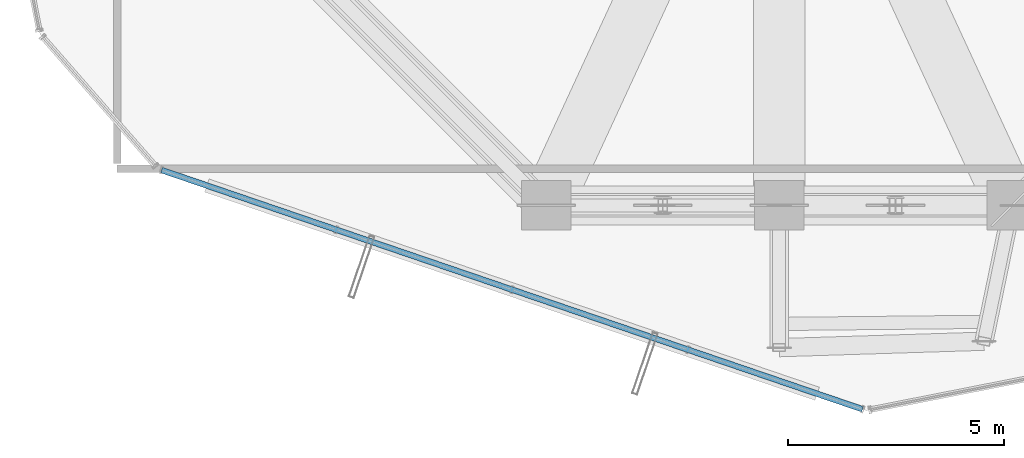
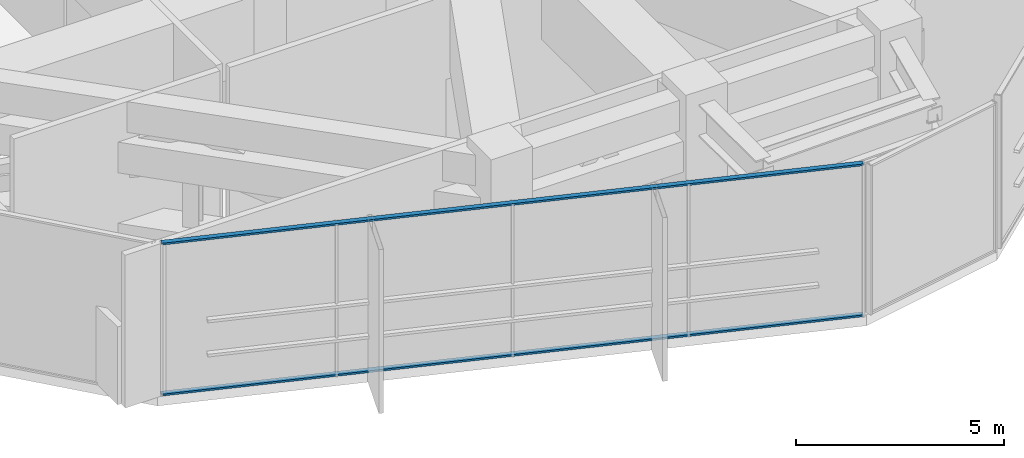
# One storey, part 3 of 36: 2 members, 1 element without a shape of its own.
"""IFC4 building model written with IfcOpenShell, lengths in metres."""

from ifc_helpers import new_model, si_unit, direction, frame, origin, origin_2d, place, context, subcontext, project, spatial, hollow_rectangle, extrude, source, transform, mapped, material, layer, layer_set, material_profile, profile_set, type_object, element, aggregate, save


model = new_model("IFC4")

# Units and contexts
model_context = context("Model", 3, precision=1e-05, world=origin(), true_north=direction((0.0, 1.0)))
body_context = subcontext(model_context, "Body", "Model", "MODEL_VIEW")
ifc_project = project(units=[si_unit("LENGTHUNIT", "METRE"), si_unit("AREAUNIT", "SQUARE_METRE"), si_unit("VOLUMEUNIT", "CUBIC_METRE"), si_unit("PLANEANGLEUNIT", "RADIAN"), si_unit("MASSUNIT", "GRAM", prefix="KILO")], contexts=[model_context])

# Site, building, storey
site_placement = place(None, origin())
site = spatial("IfcSite", under=ifc_project, at=site_placement, CompositionType="ELEMENT")
building_placement = place(site_placement, origin())
building = spatial("IfcBuilding", under=site, at=building_placement, Name="Veraguas Prism Commons", CompositionType="ELEMENT")
storey_placement = place(building_placement, frame((0.0, 0.0, 169.550048828125)))
storey = spatial("IfcBuildingStorey", under=building, at=storey_placement, Name="L48", CompositionType="ELEMENT", Elevation=169.550048828125)

# Curtain wall, members
ifc_material = material(Name="Anodised aluminium EN AW-6063 T6", Category="aluminium")
ifc_layer = layer(ifc_material, 0.169921875, Name="Unitised Flush Curtain Wall Zone 2", Category="aluminium")
ifc_layer_set = layer_set([ifc_layer], Name="Anodised aluminium EN AW-6063 T6")
curtain_wall_type = type_object("IfcCurtainWallType", Name="Unitised Flush Curtain Wall Zone 2", PredefinedType="NOTDEFINED", material=ifc_layer_set)
curtain_wall_placement = place(storey_placement, origin())
curtain_wall = element("IfcCurtainWall", 1, at=curtain_wall_placement, inside=storey, type_object=curtain_wall_type, Name="Tower Facade Curtain Wall L48-F4", PredefinedType="NOTDEFINED")
ifc_material_profile = material_profile(ifc_material, hollow_rectangle(XDim=0.054931640625, YDim=0.135009765625, WallThickness=0.0029296875, at=origin_2d()), Name="AL55X135X3")
ifc_profile_set = profile_set([ifc_material_profile], Name="Anodised aluminium EN AW-6063 T6")
member_type = type_object("IfcMemberType", Name="Curtain Wall Transom Standard AL 55x135x3", PredefinedType="USERDEFINED", material=ifc_profile_set)
shared_shape = source(origin(), body_context, "Body", "SweptSolid", [
    extrude(hollow_rectangle(XDim=0.054931640625, YDim=0.135009765625, WallThickness=0.0029296875, at=origin_2d()), origin(), (0.0, 0.0, 1.0), 17.17431640625),
])
member_1_placement = place(storey_placement, frame((9.678466796875, 8.618408203125, 0.02734375), z_axis=(0.946422038145, -0.322932385667, 0.0), x_axis=(0.0, 0.0, 1.0)))
member_1 = element("IfcMember", 2, at=member_1_placement, type_object=member_type, Name="CW-Z2 Transom 1", ObjectType="TRANSOM", PredefinedType="USERDEFINED", context=body_context, shape_type="MappedRepresentation", body=[
    mapped(shared_shape, transform((0.0, 0.0, 0.0), scale=1.0)),
])
member_2_placement = place(storey_placement, frame((9.678466796875, 8.618408203125, 4.452392578125), z_axis=(0.946422038145, -0.322932385667, 0.0), x_axis=(0.0, 0.0, 1.0)))
member_2 = element("IfcMember", 3, at=member_2_placement, type_object=member_type, Name="CW-Z2 Transom 2", ObjectType="TRANSOM", PredefinedType="USERDEFINED", context=body_context, shape_type="MappedRepresentation", body=[
    mapped(shared_shape, transform((0.0, 0.0, 0.0), scale=1.0)),
])
aggregate(curtain_wall, [member_1, member_2])

save(model, "model.ifc")
